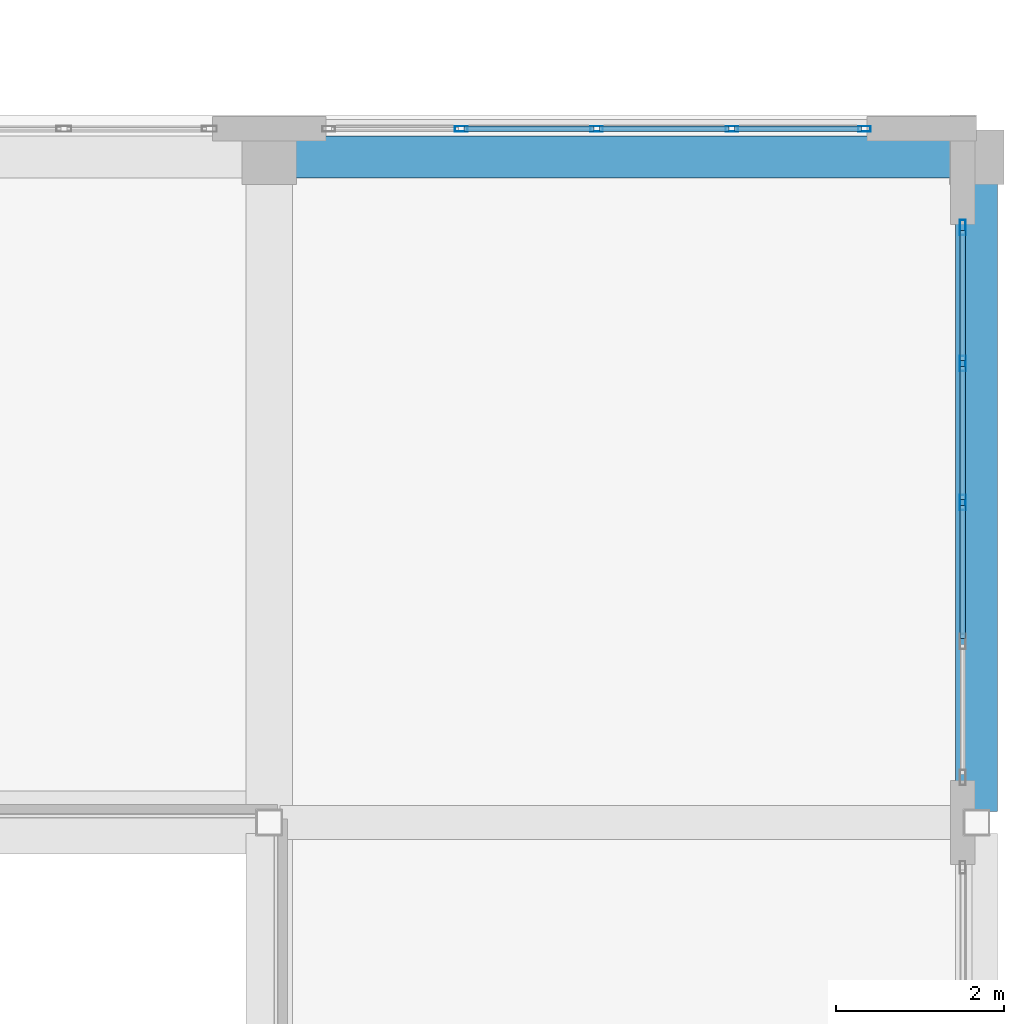
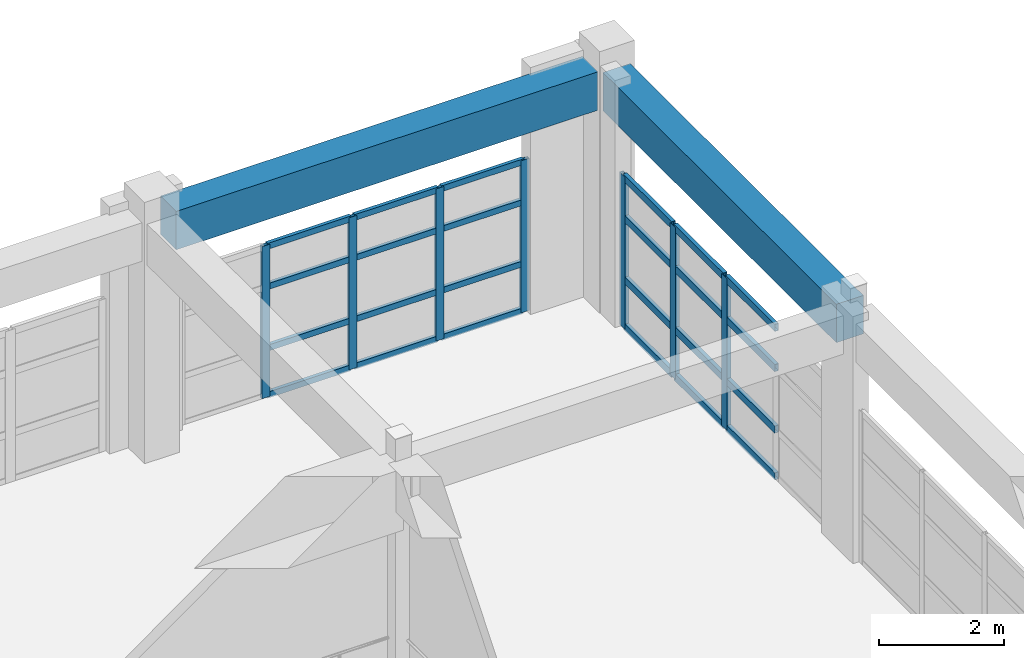
# One storey, part 71 of 103: 31 members, 2 beams, 2 elements without a shape of their own.
"""IFC4 building model written with IfcOpenShell, lengths in metres."""

import ifcopenshell
import ifcopenshell.guid

model = None  # the IFC model being written
_history = None  # IfcOwnerHistory: only IFC2X3 demands one
_inside = {}  # id of a spatial element -> (the spatial element, [elements in it])
_under = {}  # id of a project, library or spatial element -> (it, [spatial elements below it])
_declared = {}  # id of a project -> (the project, [libraries it declares])
_typed = {}  # id of a type object -> (the type object, [elements of that type])
_made_of = {}  # id of a material, layer set ... -> (it, [elements and type objects made of it])


def new_model(schema):
    """Start an empty IFC model of exactly this schema.

    Asked for "IFC4X3", IfcOpenShell would pick the latest addendum, in which some entities
    have other attributes; the version numbers below select the first issue.
    IFC2X3 requires an IfcOwnerHistory on every rooted entity: one is made here for all.
    """
    global model, _history
    if schema == "IFC4X3":
        model = ifcopenshell.file(schema_version=(4, 3, 0, 0))
    else:
        model = ifcopenshell.file(schema=schema)
    _inside.clear()
    _under.clear()
    _declared.clear()
    _typed.clear()
    _made_of.clear()
    _history = None
    if model.schema == "IFC2X3":
        org = make("IfcOrganization", Name="unknown")
        user = make(
            "IfcPersonAndOrganization",
            ThePerson=make("IfcPerson", FamilyName="unknown"),
            TheOrganization=org,
        )
        app = make(
            "IfcApplication",
            ApplicationDeveloper=org,
            Version="unknown",
            ApplicationFullName="unknown",
            ApplicationIdentifier="unknown",
        )
        _history = make(
            "IfcOwnerHistory",
            OwningUser=user,
            OwningApplication=app,
            ChangeAction="ADDED",
            CreationDate=0,
        )
    return model


def make(cls, **values):
    """One entity of the class cls with the attributes given. An attribute that is None is left unset."""
    return model.create_entity(
        cls, **{name: value for name, value in values.items() if value is not None}
    )


def rooted(cls, **values):
    """An entity with a GlobalId (a new one), such as an element, a storey or a relation."""
    return make(cls, GlobalId=ifcopenshell.guid.new(), OwnerHistory=_history, **values)


def si_unit(unit_type, name, prefix=None):
    """IfcSIUnit, for example si_unit("LENGTHUNIT", "METRE", prefix="MILLI")."""
    return make("IfcSIUnit", UnitType=unit_type, Prefix=prefix, Name=name)


def assignment(units):
    """IfcUnitAssignment: the units of a project."""
    return None if units is None else make("IfcUnitAssignment", Units=units)


def point(xyz):
    """IfcCartesianPoint."""
    return None if xyz is None else make("IfcCartesianPoint", Coordinates=xyz)


def direction(xyz):
    """IfcDirection."""
    return None if xyz is None else make("IfcDirection", DirectionRatios=xyz)


def frame(location, z_axis=None, x_axis=None):
    """IfcAxis2Placement3D, a coordinate frame: its origin and axes. An axis left out is left unset."""
    return make(
        "IfcAxis2Placement3D",
        Location=point(location),
        Axis=direction(z_axis),
        RefDirection=direction(x_axis),
    )


def frame_2d(location, x_axis=None):
    """IfcAxis2Placement2D, a coordinate frame in the plane: its origin and x axis."""
    return make(
        "IfcAxis2Placement2D", Location=point(location), RefDirection=direction(x_axis)
    )


def origin():
    """The frame at (0, 0, 0) with its axes left unset."""
    return frame((0.0, 0.0, 0.0))


def origin_2d():
    """The frame at (0, 0) in the plane with its x axis left unset."""
    return frame_2d((0.0, 0.0))


def place(relative_to, where):
    """IfcLocalPlacement: puts the frame where relative to a parent placement (None: the world)."""
    return make(
        "IfcLocalPlacement", PlacementRelTo=relative_to, RelativePlacement=where
    )


def context(
    kind, dimensions, precision=None, world=None, true_north=None, identifier=None
):
    """IfcGeometricRepresentationContext, for example the 3D "Model" context."""
    return make(
        "IfcGeometricRepresentationContext",
        ContextIdentifier=identifier,
        ContextType=kind,
        CoordinateSpaceDimension=dimensions,
        Precision=precision,
        WorldCoordinateSystem=world,
        TrueNorth=true_north,
    )


def subcontext(parent, identifier, kind, view, scale=None):
    """IfcGeometricRepresentationSubContext, for example "Body" below "Model"."""
    return make(
        "IfcGeometricRepresentationSubContext",
        ContextIdentifier=identifier,
        ContextType=kind,
        ParentContext=parent,
        TargetScale=scale,
        TargetView=view,
    )


def project(units=None, contexts=None):
    """IfcProject with its units and contexts."""
    return rooted(
        "IfcProject",
        Name="project",
        RepresentationContexts=contexts,
        UnitsInContext=assignment(units),
    )


def spatial(cls, under=None, at=None, **own):
    """A site, building, storey or space (cls), placed at a placement, below another one or the project."""
    s = rooted(cls, ObjectPlacement=at, **own)
    if under is not None:
        _under.setdefault(under.id(), (under, []))[1].append(s)
    return s


def profile(cls, at=None, kind="AREA", **sizes):
    """A parametric profile (cls). Its sizes go by their IFC names, for example OverallWidth=200.0."""
    return make(cls, ProfileType=kind, Position=at, **sizes)


def rectangle(**sizes):
    """IfcRectangleProfileDef."""
    return profile("IfcRectangleProfileDef", **sizes)


def hollow_rectangle(**sizes):
    """IfcRectangleHollowProfileDef."""
    return profile("IfcRectangleHollowProfileDef", **sizes)


def extrude(swept, where, along, depth):
    """IfcExtrudedAreaSolid: the profile swept, set in the frame where, extruded along a direction by depth."""
    return make(
        "IfcExtrudedAreaSolid",
        SweptArea=swept,
        Position=where,
        ExtrudedDirection=direction(along),
        Depth=depth,
    )


def shape(context_of_items, identifier, shape_type, items):
    """IfcShapeRepresentation: the items that make up one representation, for example the "Body"."""
    return make(
        "IfcShapeRepresentation",
        ContextOfItems=context_of_items,
        RepresentationIdentifier=identifier,
        RepresentationType=shape_type,
        Items=items,
    )


def material(Name=None, Category=None):
    """IfcMaterial."""
    return make("IfcMaterial", Name=Name, Category=Category)


def layer(
    of_material, thickness, ventilated=None, Name=None, Category=None, Priority=None
):
    """IfcMaterialLayer: one layer of a wall or slab, of a material (None: an air gap)."""
    return make(
        "IfcMaterialLayer",
        Material=of_material,
        LayerThickness=thickness,
        IsVentilated=ventilated,
        Name=Name,
        Category=Category,
        Priority=Priority,
    )


def layer_set(layers, Name=None):
    """IfcMaterialLayerSet."""
    return make("IfcMaterialLayerSet", MaterialLayers=layers, LayerSetName=Name)


def material_profile(
    of_material, cross_section, Name=None, Category=None, Priority=None
):
    """IfcMaterialProfile: a cross section and its material."""
    return make(
        "IfcMaterialProfile",
        Name=Name,
        Material=of_material,
        Profile=cross_section,
        Priority=Priority,
        Category=Category,
    )


def profile_set(profiles, Name=None, composite=None):
    """IfcMaterialProfileSet."""
    return make(
        "IfcMaterialProfileSet",
        Name=Name,
        MaterialProfiles=profiles,
        CompositeProfile=composite,
    )


def made_of(thing, what):
    """Note that an element or type object is made of a material, layer set ...; save() writes the relation."""
    if what is not None:
        _made_of.setdefault(what.id(), (what, []))[1].append(thing)
    return thing


def type_object(cls, material=None, **own):
    """A type object (cls), such as IfcWallType, which elements share."""
    return made_of(rooted(cls, **own), material)


def element(
    cls,
    number,
    at=None,
    inside=None,
    cuts=None,
    type_object=None,
    material=None,
    context=None,
    identifier="Body",
    shape_type=None,
    held_by="IfcProductDefinitionShape",
    body=None,
    shapes=None,
    **own,
):
    """One element of the class cls, such as IfcWall. Its Tag is "e" and its number.

    at: its placement. inside: the storey or other place that contains it. cuts: it is an
    opening in that element (IfcRelVoidsElement). A single representation is given by context,
    identifier, shape_type and body (its items); several are given by shapes. held_by: the class
    of the entity that holds the representations. save() writes the other relations.
    """
    e = rooted(cls, Tag="e%d" % number, ObjectPlacement=at, **own)
    if body is not None:
        shapes = [shape(context, identifier, shape_type, body)]
    if shapes is not None:
        e.Representation = make(held_by, Representations=shapes)
    if inside is not None:
        _inside.setdefault(inside.id(), (inside, []))[1].append(e)
    if cuts is not None:
        rooted(
            "IfcRelVoidsElement", RelatingBuildingElement=cuts, RelatedOpeningElement=e
        )
    if type_object is not None:
        _typed.setdefault(type_object.id(), (type_object, []))[1].append(e)
    return made_of(e, material)


def aggregate(whole, parts):
    """IfcRelAggregates: a whole, such as a stair, and the parts it consists of."""
    return rooted("IfcRelAggregates", RelatingObject=whole, RelatedObjects=parts)


def save(model, path):
    """Write the relations noted so far, then the file.

    IfcRelAggregates (storeys below a building ...), IfcRelContainedInSpatialStructure (elements
    in a storey), IfcRelDefinesByType, IfcRelAssociatesMaterial and IfcRelDeclares: one each for
    every whole, place, type object, material and project.
    """
    for whole, parts in _under.values():
        aggregate(whole, parts)
    for where, things in _inside.values():
        rooted(
            "IfcRelContainedInSpatialStructure",
            RelatedElements=things,
            RelatingStructure=where,
        )
    for kind, things in _typed.values():
        rooted("IfcRelDefinesByType", RelatedObjects=things, RelatingType=kind)
    for what, things in _made_of.values():
        rooted("IfcRelAssociatesMaterial", RelatedObjects=things, RelatingMaterial=what)
    for by, libraries in _declared.values():
        rooted("IfcRelDeclares", RelatingContext=by, RelatedDefinitions=libraries)
    model.write(path)


model = new_model("IFC4")

# Units and contexts
model_context = context("Model", 3, precision=1e-05, world=origin(), true_north=direction((0.0, 1.0)))
body_context = subcontext(model_context, "Body", "Model", "MODEL_VIEW")
ifc_project = project(units=[si_unit("LENGTHUNIT", "METRE"), si_unit("AREAUNIT", "SQUARE_METRE"), si_unit("VOLUMEUNIT", "CUBIC_METRE"), si_unit("PLANEANGLEUNIT", "RADIAN"), si_unit("MASSUNIT", "GRAM", prefix="KILO")], contexts=[model_context])

# Site, building, storey
site_placement = place(None, origin())
site = spatial("IfcSite", under=ifc_project, at=site_placement, CompositionType="ELEMENT")
building_placement = place(site_placement, origin())
building = spatial("IfcBuilding", under=site, at=building_placement, Name="Quendrovan Civic Courthouse", CompositionType="ELEMENT")
storey_placement = place(building_placement, frame((0.0, 0.0, 15.300048828125)))
storey = spatial("IfcBuildingStorey", under=building, at=storey_placement, Name="L04", CompositionType="ELEMENT", Elevation=15.300048828125)

# Beams
ifc_material_1 = material(Name="Concrete C40/50", Category="concrete")
ifc_material_profile_1 = material_profile(ifc_material_1, rectangle(XDim=0.5, YDim=0.75, at=origin_2d()), Name="RC-BM-500x750")
ifc_profile_set_1 = profile_set([ifc_material_profile_1], Name="Concrete C40/50")
beam_type = type_object("IfcBeamType", Name="BM-RC750", PredefinedType="SPANDREL", material=ifc_profile_set_1)
beam_1_placement = place(storey_placement, frame((134.705078125, 109.89990234375, 4.284912109375), z_axis=(1.0, 0.0, 0.0), x_axis=(0.0, 1.0, 0.0)))
element("IfcBeam", 1, at=beam_1_placement, inside=storey, type_object=beam_type, Name="L04 Girder X0935", PredefinedType="SPANDREL", context=body_context, shape_type="SweptSolid", body=[
    extrude(rectangle(XDim=0.5, YDim=0.75, at=origin_2d()), origin(), (0.0, 0.0, 1.0), 7.7900390625),
])
beam_2_placement = place(storey_placement, frame((142.800048828125, 102.1298828125, 4.284912109375), z_axis=(0.0, 1.0, 0.0), x_axis=(-1.0, 0.0, 0.0)))
element("IfcBeam", 2, at=beam_2_placement, inside=storey, type_object=beam_type, Name="L04 Girder Y0997", PredefinedType="SPANDREL", context=body_context, shape_type="SweptSolid", body=[
    extrude(rectangle(XDim=0.5, YDim=0.75, at=origin_2d()), origin(), (0.0, 0.0, 1.0), 7.465087890625),
])

# Curtain wall, members
ifc_material_2 = material(Name="Bronze anodised aluminium and low-E glass", Category="aluminium")
ifc_layer_1 = layer(ifc_material_2, 0.179931640625, Name="Bronze anodised aluminium and low-E glass")
ifc_layer_set_1 = layer_set([ifc_layer_1], Name="Bronze anodised aluminium and low-E glass")
curtain_wall_type_1 = type_object("IfcCurtainWallType", Name="CW-U66x30", PredefinedType="USERDEFINED", material=ifc_layer_set_1)
curtain_wall_1_placement = place(storey_placement, origin())
curtain_wall_1 = element("IfcCurtainWall", 3, at=curtain_wall_1_placement, inside=storey, type_object=curtain_wall_type_1, Name="L04 Unitised Hurricane Curtain Wall CW-170", ObjectType="UNITISED CURTAIN WALL", PredefinedType="USERDEFINED")
ifc_material_3 = material(Name="Bronze anodised aluminium", Category="aluminium")
ifc_material_profile_2 = material_profile(ifc_material_3, hollow_rectangle(XDim=0.070068359375, YDim=0.179931640625, WallThickness=0.00390625, at=origin_2d()), Name="CW-MULL-70x180")
ifc_profile_set_2 = profile_set([ifc_material_profile_2], Name="Bronze anodised aluminium")
member_type_1 = type_object("IfcMemberType", Name="CW-MULL-A", PredefinedType="MULLION", material=ifc_profile_set_2)
member_1_placement = place(storey_placement, frame((142.635009765625, 109.06494140625, 0.0), z_axis=(0.0, 0.0, 1.0), x_axis=(1.0, 0.0, 0.0)))
member_1 = element("IfcMember", 4, at=member_1_placement, type_object=member_type_1, Name="CW-170 mullion 1", PredefinedType="MULLION", context=body_context, shape_type="SweptSolid", body=[
    extrude(hollow_rectangle(XDim=0.070068359375, YDim=0.179931640625, WallThickness=0.00390625, at=origin_2d()), origin(), (0.0, 0.0, 1.0), 2.969970703125),
])
member_2_placement = place(storey_placement, frame((142.635009765625, 107.449951171875, 0.0), z_axis=(0.0, 0.0, 1.0), x_axis=(1.0, 0.0, 0.0)))
member_2 = element("IfcMember", 5, at=member_2_placement, type_object=member_type_1, Name="CW-170 mullion 2", PredefinedType="MULLION", context=body_context, shape_type="SweptSolid", body=[
    extrude(hollow_rectangle(XDim=0.070068359375, YDim=0.179931640625, WallThickness=0.00390625, at=origin_2d()), origin(), (0.0, 0.0, 1.0), 2.969970703125),
])
member_3_placement = place(storey_placement, frame((142.635009765625, 105.800048828125, 0.0), z_axis=(0.0, 0.0, 1.0), x_axis=(1.0, 0.0, 0.0)))
member_3 = element("IfcMember", 6, at=member_3_placement, type_object=member_type_1, Name="CW-170 mullion 3", PredefinedType="MULLION", context=body_context, shape_type="SweptSolid", body=[
    extrude(hollow_rectangle(XDim=0.070068359375, YDim=0.179931640625, WallThickness=0.00390625, at=origin_2d()), origin(), (0.0, 0.0, 1.0), 2.969970703125),
])

ifc_layer_2 = layer(ifc_material_2, 0.179931640625, Name="Bronze anodised aluminium and low-E glass")
ifc_layer_set_2 = layer_set([ifc_layer_2], Name="Bronze anodised aluminium and low-E glass")
curtain_wall_type_2 = type_object("IfcCurtainWallType", Name="CW-U64x30", PredefinedType="USERDEFINED", material=ifc_layer_set_2)
curtain_wall_2_placement = place(storey_placement, origin())
curtain_wall_2 = element("IfcCurtainWall", 7, at=curtain_wall_2_placement, inside=storey, type_object=curtain_wall_type_2, Name="L04 Unitised Hurricane Curtain Wall CW-169", ObjectType="UNITISED CURTAIN WALL", PredefinedType="USERDEFINED")
ifc_material_profile_3 = material_profile(ifc_material_3, hollow_rectangle(XDim=0.06494140625, YDim=0.14990234375, WallThickness=0.00390625, at=origin_2d()), Name="CW-MULL-65x150")
ifc_profile_set_3 = profile_set([ifc_material_profile_3], Name="Bronze anodised aluminium")
member_type_2 = type_object("IfcMemberType", Name="CW-MULL-B", PredefinedType="MULLION", material=ifc_profile_set_3)
member_4_placement = place(storey_placement, frame((136.68115234375, 110.235107421875, 0.0), z_axis=(0.0, 0.0, 1.0), x_axis=(0.0, 1.0, 0.0)))
member_4 = element("IfcMember", 8, at=member_4_placement, type_object=member_type_2, Name="CW-169 mullion 2", PredefinedType="MULLION", context=body_context, shape_type="SweptSolid", body=[
    extrude(hollow_rectangle(XDim=0.06494140625, YDim=0.14990234375, WallThickness=0.00390625, at=origin_2d()), origin(), (0.0, 0.0, 1.0), 2.969970703125),
])
member_5_placement = place(storey_placement, frame((138.28759765625, 110.235107421875, 0.0), z_axis=(0.0, 0.0, 1.0), x_axis=(0.0, 1.0, 0.0)))
member_5 = element("IfcMember", 9, at=member_5_placement, type_object=member_type_2, Name="CW-169 mullion 3", PredefinedType="MULLION", context=body_context, shape_type="SweptSolid", body=[
    extrude(hollow_rectangle(XDim=0.06494140625, YDim=0.14990234375, WallThickness=0.00390625, at=origin_2d()), origin(), (0.0, 0.0, 1.0), 2.969970703125),
])
member_6_placement = place(storey_placement, frame((139.893798828125, 110.235107421875, 0.0), z_axis=(0.0, 0.0, 1.0), x_axis=(0.0, 1.0, 0.0)))
member_6 = element("IfcMember", 10, at=member_6_placement, type_object=member_type_2, Name="CW-169 mullion 4", PredefinedType="MULLION", context=body_context, shape_type="SweptSolid", body=[
    extrude(hollow_rectangle(XDim=0.06494140625, YDim=0.14990234375, WallThickness=0.00390625, at=origin_2d()), origin(), (0.0, 0.0, 1.0), 2.969970703125),
])
member_7_placement = place(storey_placement, frame((141.467529296875, 110.235107421875, 0.0), z_axis=(0.0, 0.0, 1.0), x_axis=(0.0, 1.0, 0.0)))
member_7 = element("IfcMember", 11, at=member_7_placement, type_object=member_type_2, Name="CW-169 mullion 5", PredefinedType="MULLION", context=body_context, shape_type="SweptSolid", body=[
    extrude(hollow_rectangle(XDim=0.06494140625, YDim=0.14990234375, WallThickness=0.00390625, at=origin_2d()), origin(), (0.0, 0.0, 1.0), 2.969970703125),
])

# Member
ifc_material_profile_4 = material_profile(ifc_material_3, hollow_rectangle(XDim=0.070068359375, YDim=0.139892578125, WallThickness=0.00390625, at=origin_2d()), Name="CW-TRAN-70x140")
ifc_profile_set_4 = profile_set([ifc_material_profile_4], Name="Bronze anodised aluminium")
member_type_3 = type_object("IfcMemberType", Name="CW-TRAN-A", PredefinedType="USERDEFINED", material=ifc_profile_set_4)
member_8_placement = place(storey_placement, frame((142.635009765625, 109.030029296875, 0.034912109375), z_axis=(0.0, -1.0, 0.0), x_axis=(1.0, 0.0, 0.0)))
member_8 = element("IfcMember", 12, at=member_8_placement, type_object=member_type_3, Name="CW-170 transom 1.1", ObjectType="TRANSOM", PredefinedType="USERDEFINED", context=body_context, shape_type="SweptSolid", body=[
    extrude(hollow_rectangle(XDim=0.070068359375, YDim=0.139892578125, WallThickness=0.00390625, at=origin_2d()), origin(), (0.0, 0.0, 1.0), 1.544921875),
])

member_9_placement = place(storey_placement, frame((142.635009765625, 109.030029296875, 0.949951171875), z_axis=(0.0, -1.0, 0.0), x_axis=(1.0, 0.0, 0.0)))
member_9 = element("IfcMember", 13, at=member_9_placement, type_object=member_type_3, Name="CW-170 transom 1.2", ObjectType="TRANSOM", PredefinedType="USERDEFINED", context=body_context, shape_type="SweptSolid", body=[
    extrude(hollow_rectangle(XDim=0.070068359375, YDim=0.139892578125, WallThickness=0.00390625, at=origin_2d()), origin(), (0.0, 0.0, 1.0), 1.544921875),
])

member_10_placement = place(storey_placement, frame((142.635009765625, 109.030029296875, 2.14990234375), z_axis=(0.0, -1.0, 0.0), x_axis=(1.0, 0.0, 0.0)))
member_10 = element("IfcMember", 14, at=member_10_placement, type_object=member_type_3, Name="CW-170 transom 1.3", ObjectType="TRANSOM", PredefinedType="USERDEFINED", context=body_context, shape_type="SweptSolid", body=[
    extrude(hollow_rectangle(XDim=0.070068359375, YDim=0.139892578125, WallThickness=0.00390625, at=origin_2d()), origin(), (0.0, 0.0, 1.0), 1.544921875),
])

member_11_placement = place(storey_placement, frame((142.635009765625, 109.030029296875, 2.93505859375), z_axis=(0.0, -1.0, 0.0), x_axis=(1.0, 0.0, 0.0)))
member_11 = element("IfcMember", 15, at=member_11_placement, type_object=member_type_3, Name="CW-170 transom 1.4", ObjectType="TRANSOM", PredefinedType="USERDEFINED", context=body_context, shape_type="SweptSolid", body=[
    extrude(hollow_rectangle(XDim=0.070068359375, YDim=0.139892578125, WallThickness=0.00390625, at=origin_2d()), origin(), (0.0, 0.0, 1.0), 1.544921875),
])

member_12_placement = place(storey_placement, frame((142.635009765625, 107.4150390625, 0.034912109375), z_axis=(0.0, -1.0, 0.0), x_axis=(1.0, 0.0, 0.0)))
member_12 = element("IfcMember", 16, at=member_12_placement, type_object=member_type_3, Name="CW-170 transom 2.1", ObjectType="TRANSOM", PredefinedType="USERDEFINED", context=body_context, shape_type="SweptSolid", body=[
    extrude(hollow_rectangle(XDim=0.070068359375, YDim=0.139892578125, WallThickness=0.00390625, at=origin_2d()), origin(), (0.0, 0.0, 1.0), 1.580078125),
])

member_13_placement = place(storey_placement, frame((142.635009765625, 107.4150390625, 0.949951171875), z_axis=(0.0, -1.0, 0.0), x_axis=(1.0, 0.0, 0.0)))
member_13 = element("IfcMember", 17, at=member_13_placement, type_object=member_type_3, Name="CW-170 transom 2.2", ObjectType="TRANSOM", PredefinedType="USERDEFINED", context=body_context, shape_type="SweptSolid", body=[
    extrude(hollow_rectangle(XDim=0.070068359375, YDim=0.139892578125, WallThickness=0.00390625, at=origin_2d()), origin(), (0.0, 0.0, 1.0), 1.580078125),
])

member_14_placement = place(storey_placement, frame((142.635009765625, 107.4150390625, 2.14990234375), z_axis=(0.0, -1.0, 0.0), x_axis=(1.0, 0.0, 0.0)))
member_14 = element("IfcMember", 18, at=member_14_placement, type_object=member_type_3, Name="CW-170 transom 2.3", ObjectType="TRANSOM", PredefinedType="USERDEFINED", context=body_context, shape_type="SweptSolid", body=[
    extrude(hollow_rectangle(XDim=0.070068359375, YDim=0.139892578125, WallThickness=0.00390625, at=origin_2d()), origin(), (0.0, 0.0, 1.0), 1.580078125),
])

member_15_placement = place(storey_placement, frame((142.635009765625, 107.4150390625, 2.93505859375), z_axis=(0.0, -1.0, 0.0), x_axis=(1.0, 0.0, 0.0)))
member_15 = element("IfcMember", 19, at=member_15_placement, type_object=member_type_3, Name="CW-170 transom 2.4", ObjectType="TRANSOM", PredefinedType="USERDEFINED", context=body_context, shape_type="SweptSolid", body=[
    extrude(hollow_rectangle(XDim=0.070068359375, YDim=0.139892578125, WallThickness=0.00390625, at=origin_2d()), origin(), (0.0, 0.0, 1.0), 1.580078125),
])

member_16_placement = place(storey_placement, frame((142.635009765625, 105.764892578125, 0.034912109375), z_axis=(0.0, -1.0, 0.0), x_axis=(1.0, 0.0, 0.0)))
member_16 = element("IfcMember", 20, at=member_16_placement, type_object=member_type_3, Name="CW-170 transom 3.1", ObjectType="TRANSOM", PredefinedType="USERDEFINED", context=body_context, shape_type="SweptSolid", body=[
    extrude(hollow_rectangle(XDim=0.070068359375, YDim=0.139892578125, WallThickness=0.00390625, at=origin_2d()), origin(), (0.0, 0.0, 1.0), 1.579833984375),
])

member_17_placement = place(storey_placement, frame((142.635009765625, 105.764892578125, 0.949951171875), z_axis=(0.0, -1.0, 0.0), x_axis=(1.0, 0.0, 0.0)))
member_17 = element("IfcMember", 21, at=member_17_placement, type_object=member_type_3, Name="CW-170 transom 3.2", ObjectType="TRANSOM", PredefinedType="USERDEFINED", context=body_context, shape_type="SweptSolid", body=[
    extrude(hollow_rectangle(XDim=0.070068359375, YDim=0.139892578125, WallThickness=0.00390625, at=origin_2d()), origin(), (0.0, 0.0, 1.0), 1.579833984375),
])

member_18_placement = place(storey_placement, frame((142.635009765625, 105.764892578125, 2.14990234375), z_axis=(0.0, -1.0, 0.0), x_axis=(1.0, 0.0, 0.0)))
member_18 = element("IfcMember", 22, at=member_18_placement, type_object=member_type_3, Name="CW-170 transom 3.3", ObjectType="TRANSOM", PredefinedType="USERDEFINED", context=body_context, shape_type="SweptSolid", body=[
    extrude(hollow_rectangle(XDim=0.070068359375, YDim=0.139892578125, WallThickness=0.00390625, at=origin_2d()), origin(), (0.0, 0.0, 1.0), 1.579833984375),
])

member_19_placement = place(storey_placement, frame((142.635009765625, 105.764892578125, 2.93505859375), z_axis=(0.0, -1.0, 0.0), x_axis=(1.0, 0.0, 0.0)))
member_19 = element("IfcMember", 23, at=member_19_placement, type_object=member_type_3, Name="CW-170 transom 3.4", ObjectType="TRANSOM", PredefinedType="USERDEFINED", context=body_context, shape_type="SweptSolid", body=[
    extrude(hollow_rectangle(XDim=0.070068359375, YDim=0.139892578125, WallThickness=0.00390625, at=origin_2d()), origin(), (0.0, 0.0, 1.0), 1.579833984375),
])

aggregate(curtain_wall_1, [member_1, member_2, member_3, member_8, member_9, member_10, member_11, member_12, member_13, member_14, member_15, member_16, member_17, member_18, member_19])

ifc_material_profile_5 = material_profile(ifc_material_3, hollow_rectangle(XDim=0.06494140625, YDim=0.114990234375, WallThickness=0.00390625, at=origin_2d()), Name="CW-TRAN-65x115")
ifc_profile_set_5 = profile_set([ifc_material_profile_5], Name="Bronze anodised aluminium")
member_type_4 = type_object("IfcMemberType", Name="CW-TRAN-B", PredefinedType="USERDEFINED", material=ifc_profile_set_5)
member_20_placement = place(storey_placement, frame((136.7138671875, 110.235107421875, 0.032470703125), z_axis=(1.0, 0.0, 0.0), x_axis=(0.0, 1.0, 0.0)))
member_20 = element("IfcMember", 24, at=member_20_placement, type_object=member_type_4, Name="CW-169 transom 2.1", ObjectType="TRANSOM", PredefinedType="USERDEFINED", context=body_context, shape_type="SweptSolid", body=[
    extrude(hollow_rectangle(XDim=0.06494140625, YDim=0.114990234375, WallThickness=0.00390625, at=origin_2d()), origin(), (0.0, 0.0, 1.0), 1.541015625),
])

member_21_placement = place(storey_placement, frame((136.7138671875, 110.235107421875, 0.949951171875), z_axis=(1.0, 0.0, 0.0), x_axis=(0.0, 1.0, 0.0)))
member_21 = element("IfcMember", 25, at=member_21_placement, type_object=member_type_4, Name="CW-169 transom 2.2", ObjectType="TRANSOM", PredefinedType="USERDEFINED", context=body_context, shape_type="SweptSolid", body=[
    extrude(hollow_rectangle(XDim=0.06494140625, YDim=0.114990234375, WallThickness=0.00390625, at=origin_2d()), origin(), (0.0, 0.0, 1.0), 1.541015625),
])

member_22_placement = place(storey_placement, frame((136.7138671875, 110.235107421875, 2.14990234375), z_axis=(1.0, 0.0, 0.0), x_axis=(0.0, 1.0, 0.0)))
member_22 = element("IfcMember", 26, at=member_22_placement, type_object=member_type_4, Name="CW-169 transom 2.3", ObjectType="TRANSOM", PredefinedType="USERDEFINED", context=body_context, shape_type="SweptSolid", body=[
    extrude(hollow_rectangle(XDim=0.06494140625, YDim=0.114990234375, WallThickness=0.00390625, at=origin_2d()), origin(), (0.0, 0.0, 1.0), 1.541015625),
])

member_23_placement = place(storey_placement, frame((136.7138671875, 110.235107421875, 2.9375), z_axis=(1.0, 0.0, 0.0), x_axis=(0.0, 1.0, 0.0)))
member_23 = element("IfcMember", 27, at=member_23_placement, type_object=member_type_4, Name="CW-169 transom 2.4", ObjectType="TRANSOM", PredefinedType="USERDEFINED", context=body_context, shape_type="SweptSolid", body=[
    extrude(hollow_rectangle(XDim=0.06494140625, YDim=0.114990234375, WallThickness=0.00390625, at=origin_2d()), origin(), (0.0, 0.0, 1.0), 1.541015625),
])

member_24_placement = place(storey_placement, frame((138.320068359375, 110.235107421875, 0.032470703125), z_axis=(1.0, 0.0, 0.0), x_axis=(0.0, 1.0, 0.0)))
member_24 = element("IfcMember", 28, at=member_24_placement, type_object=member_type_4, Name="CW-169 transom 3.1", ObjectType="TRANSOM", PredefinedType="USERDEFINED", context=body_context, shape_type="SweptSolid", body=[
    extrude(hollow_rectangle(XDim=0.06494140625, YDim=0.114990234375, WallThickness=0.00390625, at=origin_2d()), origin(), (0.0, 0.0, 1.0), 1.541259765625),
])

member_25_placement = place(storey_placement, frame((138.320068359375, 110.235107421875, 0.949951171875), z_axis=(1.0, 0.0, 0.0), x_axis=(0.0, 1.0, 0.0)))
member_25 = element("IfcMember", 29, at=member_25_placement, type_object=member_type_4, Name="CW-169 transom 3.2", ObjectType="TRANSOM", PredefinedType="USERDEFINED", context=body_context, shape_type="SweptSolid", body=[
    extrude(hollow_rectangle(XDim=0.06494140625, YDim=0.114990234375, WallThickness=0.00390625, at=origin_2d()), origin(), (0.0, 0.0, 1.0), 1.541259765625),
])

member_26_placement = place(storey_placement, frame((138.320068359375, 110.235107421875, 2.14990234375), z_axis=(1.0, 0.0, 0.0), x_axis=(0.0, 1.0, 0.0)))
member_26 = element("IfcMember", 30, at=member_26_placement, type_object=member_type_4, Name="CW-169 transom 3.3", ObjectType="TRANSOM", PredefinedType="USERDEFINED", context=body_context, shape_type="SweptSolid", body=[
    extrude(hollow_rectangle(XDim=0.06494140625, YDim=0.114990234375, WallThickness=0.00390625, at=origin_2d()), origin(), (0.0, 0.0, 1.0), 1.541259765625),
])

member_27_placement = place(storey_placement, frame((138.320068359375, 110.235107421875, 2.9375), z_axis=(1.0, 0.0, 0.0), x_axis=(0.0, 1.0, 0.0)))
member_27 = element("IfcMember", 31, at=member_27_placement, type_object=member_type_4, Name="CW-169 transom 3.4", ObjectType="TRANSOM", PredefinedType="USERDEFINED", context=body_context, shape_type="SweptSolid", body=[
    extrude(hollow_rectangle(XDim=0.06494140625, YDim=0.114990234375, WallThickness=0.00390625, at=origin_2d()), origin(), (0.0, 0.0, 1.0), 1.541259765625),
])

member_28_placement = place(storey_placement, frame((139.92626953125, 110.235107421875, 0.032470703125), z_axis=(1.0, 0.0, 0.0), x_axis=(0.0, 1.0, 0.0)))
member_28 = element("IfcMember", 32, at=member_28_placement, type_object=member_type_4, Name="CW-169 transom 4.1", ObjectType="TRANSOM", PredefinedType="USERDEFINED", context=body_context, shape_type="SweptSolid", body=[
    extrude(hollow_rectangle(XDim=0.06494140625, YDim=0.114990234375, WallThickness=0.00390625, at=origin_2d()), origin(), (0.0, 0.0, 1.0), 1.5087890625),
])

member_29_placement = place(storey_placement, frame((139.92626953125, 110.235107421875, 0.949951171875), z_axis=(1.0, 0.0, 0.0), x_axis=(0.0, 1.0, 0.0)))
member_29 = element("IfcMember", 33, at=member_29_placement, type_object=member_type_4, Name="CW-169 transom 4.2", ObjectType="TRANSOM", PredefinedType="USERDEFINED", context=body_context, shape_type="SweptSolid", body=[
    extrude(hollow_rectangle(XDim=0.06494140625, YDim=0.114990234375, WallThickness=0.00390625, at=origin_2d()), origin(), (0.0, 0.0, 1.0), 1.5087890625),
])

member_30_placement = place(storey_placement, frame((139.92626953125, 110.235107421875, 2.14990234375), z_axis=(1.0, 0.0, 0.0), x_axis=(0.0, 1.0, 0.0)))
member_30 = element("IfcMember", 34, at=member_30_placement, type_object=member_type_4, Name="CW-169 transom 4.3", ObjectType="TRANSOM", PredefinedType="USERDEFINED", context=body_context, shape_type="SweptSolid", body=[
    extrude(hollow_rectangle(XDim=0.06494140625, YDim=0.114990234375, WallThickness=0.00390625, at=origin_2d()), origin(), (0.0, 0.0, 1.0), 1.5087890625),
])

member_31_placement = place(storey_placement, frame((139.92626953125, 110.235107421875, 2.9375), z_axis=(1.0, 0.0, 0.0), x_axis=(0.0, 1.0, 0.0)))
member_31 = element("IfcMember", 35, at=member_31_placement, type_object=member_type_4, Name="CW-169 transom 4.4", ObjectType="TRANSOM", PredefinedType="USERDEFINED", context=body_context, shape_type="SweptSolid", body=[
    extrude(hollow_rectangle(XDim=0.06494140625, YDim=0.114990234375, WallThickness=0.00390625, at=origin_2d()), origin(), (0.0, 0.0, 1.0), 1.5087890625),
])

aggregate(curtain_wall_2, [member_4, member_5, member_6, member_7, member_20, member_21, member_22, member_23, member_24, member_25, member_26, member_27, member_28, member_29, member_30, member_31])

save(model, "model.ifc")
